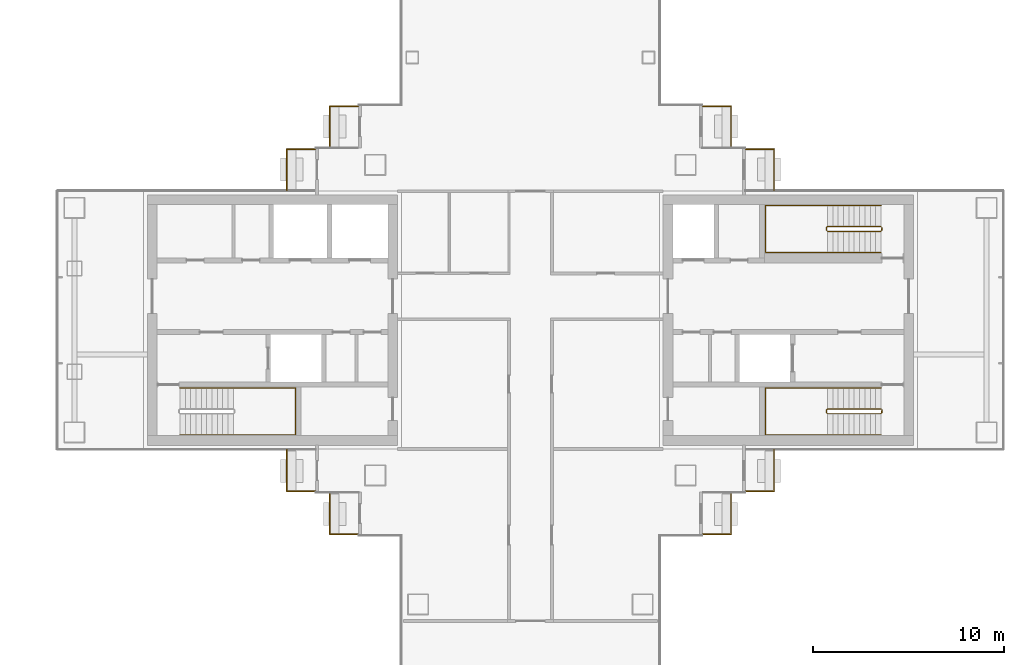
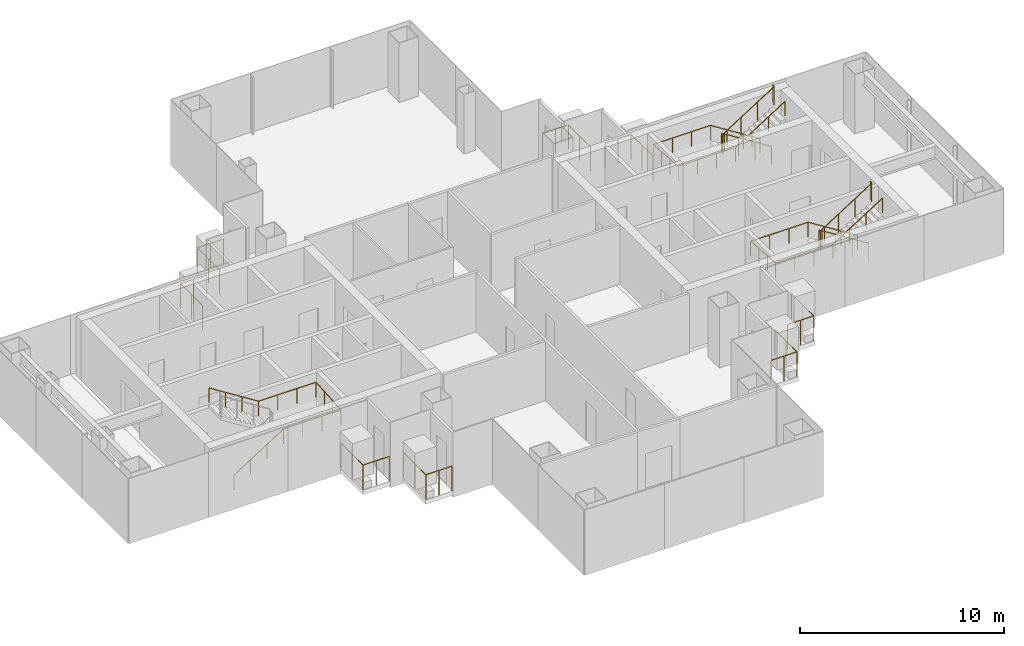
# One storey, part 16 of 17: 13 railings.
"""IFC4 building model written with IfcOpenShell, lengths in metres."""

from ifc_helpers import new_model, si_unit, direction, frame, origin, origin_2d, place, context, subcontext, project, spatial, circle, extrude, material, type_object, element, save


model = new_model("IFC4")

# Units and contexts
model_context = context("Model", 3, precision=1e-05, world=origin(), true_north=direction((0.0, 1.0)))
body_context = subcontext(model_context, "Body", "Model", "MODEL_VIEW")
ifc_project = project(units=[si_unit("LENGTHUNIT", "METRE"), si_unit("AREAUNIT", "SQUARE_METRE"), si_unit("VOLUMEUNIT", "CUBIC_METRE"), si_unit("PLANEANGLEUNIT", "RADIAN"), si_unit("MASSUNIT", "GRAM", prefix="KILO")], contexts=[model_context])

# Site, building, storey
site_placement = place(None, origin())
site = spatial("IfcSite", under=ifc_project, at=site_placement, CompositionType="ELEMENT")
building_placement = place(site_placement, origin())
building = spatial("IfcBuilding", under=site, at=building_placement, Name="Shamsa Quay Exchange Towers", CompositionType="ELEMENT")
storey_placement = place(building_placement, frame((0.0, 0.0, 170.10009765625)))
storey = spatial("IfcBuildingStorey", under=building, at=storey_placement, Name="L40", CompositionType="ELEMENT", Elevation=170.10009765625)

# Railings
ifc_material_1 = material(Name="Steel S355, black powder-coated", Category="steel")
railing_type_1 = type_object("IfcRailingType", Name="BALCONY GUARD 1500", PredefinedType="GUARDRAIL", material=ifc_material_1)
for number, where, name in (
    (1, (24.72900390625, 11.199951171875, 0.0), "Balcony guard T2-PKEN L40"),
    (2, (22.47900390625, 8.949951171875, 0.0), "Balcony guard T2-PKEN L40"),
):
    element("IfcRailing", number, at=place(storey_placement, frame(where)), inside=storey, type_object=railing_type_1, Name=name, PredefinedType="GUARDRAIL", context=body_context, shape_type="SweptSolid", body=[
        extrude(circle(Radius=0.02392578125, at=origin_2d()), frame((0.0, 0.0, 1.47607421875), z_axis=(-1.0, 0.0, 0.0), x_axis=(0.0, -1.0, 0.0)), (0.0, 0.0, 1.0), 1.47900390625),
        extrude(circle(Radius=0.02392578125, at=origin_2d()), frame((-1.47900390625, 0.0, 1.47607421875), z_axis=(0.0, -1.0, 0.0), x_axis=(1.0, 0.0, 0.0)), (0.0, 0.0, 1.0), 2.161865234375),
        extrude(circle(Radius=0.02099609375, at=origin_2d()), origin(), (0.0, 0.0, 1.0), 1.451904296875),
        extrude(circle(Radius=0.02099609375, at=origin_2d()), frame((-0.739501953125, 0.0, 0.0)), (0.0, 0.0, 1.0), 1.451904296875),
        extrude(circle(Radius=0.02099609375, at=origin_2d()), frame((-1.47900390625, 0.0, 0.0)), (0.0, 0.0, 1.0), 1.451904296875),
        extrude(circle(Radius=0.02099609375, at=origin_2d()), frame((-1.47900390625, -1.0810546875, 0.0)), (0.0, 0.0, 1.0), 1.451904296875),
        extrude(circle(Radius=0.02099609375, at=origin_2d()), frame((-1.47900390625, -2.161865234375, 0.0)), (0.0, 0.0, 1.0), 1.451904296875),
    ])
for number, where, name in (
    (3, (44.25, 9.0380859375, 0.0), "Balcony guard T2-PKES L40"),
    (4, (46.5, 6.7880859375, 0.0), "Balcony guard T2-PKES L40"),
):
    element("IfcRailing", number, at=place(storey_placement, frame(where)), inside=storey, type_object=railing_type_1, Name=name, PredefinedType="GUARDRAIL", context=body_context, shape_type="SweptSolid", body=[
        extrude(circle(Radius=0.02392578125, at=origin_2d()), frame((0.0, 0.0, 1.47607421875), z_axis=(0.0, 1.0, 0.0), x_axis=(-1.0, 0.0, 0.0)), (0.0, 0.0, 1.0), 2.161865234375),
        extrude(circle(Radius=0.02392578125, at=origin_2d()), frame((0.0, 2.161865234375, 1.47607421875), z_axis=(-1.0, 0.0, 0.0), x_axis=(0.0, -1.0, 0.0)), (0.0, 0.0, 1.0), 1.47900390625),
        extrude(circle(Radius=0.02099609375, at=origin_2d()), origin(), (0.0, 0.0, 1.0), 1.451904296875),
        extrude(circle(Radius=0.02099609375, at=origin_2d()), frame((0.0, 1.0810546875, 0.0)), (0.0, 0.0, 1.0), 1.451904296875),
        extrude(circle(Radius=0.02099609375, at=origin_2d()), frame((0.0, 2.161865234375, 0.0)), (0.0, 0.0, 1.0), 1.451904296875),
        extrude(circle(Radius=0.02099609375, at=origin_2d()), frame((-0.739501953125, 2.161865234375, 0.0)), (0.0, 0.0, 1.0), 1.451904296875),
        extrude(circle(Radius=0.02099609375, at=origin_2d()), frame((-1.47900390625, 2.161865234375, 0.0)), (0.0, 0.0, 1.0), 1.451904296875),
    ])
for number, where, name in (
    (5, (21.0, -6.7880859375, 0.0), "Balcony guard T2-PKWN L40"),
    (6, (23.25, -9.0380859375, 0.0), "Balcony guard T2-PKWN L40"),
):
    element("IfcRailing", number, at=place(storey_placement, frame(where)), inside=storey, type_object=railing_type_1, Name=name, PredefinedType="GUARDRAIL", context=body_context, shape_type="SweptSolid", body=[
        extrude(circle(Radius=0.02392578125, at=origin_2d()), frame((0.0, 0.0, 1.47607421875), z_axis=(0.0, -1.0, 0.0), x_axis=(1.0, 0.0, 0.0)), (0.0, 0.0, 1.0), 2.161865234375),
        extrude(circle(Radius=0.02392578125, at=origin_2d()), frame((0.0, -2.161865234375, 1.47607421875), z_axis=(1.0, 0.0, 0.0), x_axis=(0.0, 1.0, 0.0)), (0.0, 0.0, 1.0), 1.47900390625),
        extrude(circle(Radius=0.02099609375, at=origin_2d()), origin(), (0.0, 0.0, 1.0), 1.451904296875),
        extrude(circle(Radius=0.02099609375, at=origin_2d()), frame((0.0, -1.0810546875, 0.0)), (0.0, 0.0, 1.0), 1.451904296875),
        extrude(circle(Radius=0.02099609375, at=origin_2d()), frame((0.0, -2.161865234375, 0.0)), (0.0, 0.0, 1.0), 1.451904296875),
        extrude(circle(Radius=0.02099609375, at=origin_2d()), frame((0.739501953125, -2.161865234375, 0.0)), (0.0, 0.0, 1.0), 1.451904296875),
        extrude(circle(Radius=0.02099609375, at=origin_2d()), frame((1.47900390625, -2.161865234375, 0.0)), (0.0, 0.0, 1.0), 1.451904296875),
    ])
for number, where, name in (
    (7, (42.77099609375, -11.199951171875, 0.0), "Balcony guard T2-PKWS L40"),
    (8, (45.02099609375, -8.949951171875, 0.0), "Balcony guard T2-PKWS L40"),
):
    element("IfcRailing", number, at=place(storey_placement, frame(where)), inside=storey, type_object=railing_type_1, Name=name, PredefinedType="GUARDRAIL", context=body_context, shape_type="SweptSolid", body=[
        extrude(circle(Radius=0.02392578125, at=origin_2d()), frame((0.0, 0.0, 1.47607421875), z_axis=(1.0, 0.0, 0.0), x_axis=(0.0, 1.0, 0.0)), (0.0, 0.0, 1.0), 1.47900390625),
        extrude(circle(Radius=0.02392578125, at=origin_2d()), frame((1.47900390625, 0.0, 1.47607421875), z_axis=(0.0, 1.0, 0.0), x_axis=(-1.0, 0.0, 0.0)), (0.0, 0.0, 1.0), 2.161865234375),
        extrude(circle(Radius=0.02099609375, at=origin_2d()), origin(), (0.0, 0.0, 1.0), 1.451904296875),
        extrude(circle(Radius=0.02099609375, at=origin_2d()), frame((0.739501953125, 0.0, 0.0)), (0.0, 0.0, 1.0), 1.451904296875),
        extrude(circle(Radius=0.02099609375, at=origin_2d()), frame((1.47900390625, 0.0, 0.0)), (0.0, 0.0, 1.0), 1.451904296875),
        extrude(circle(Radius=0.02099609375, at=origin_2d()), frame((1.47900390625, 1.0810546875, 0.0)), (0.0, 0.0, 1.0), 1.451904296875),
        extrude(circle(Radius=0.02099609375, at=origin_2d()), frame((1.47900390625, 2.161865234375, 0.0)), (0.0, 0.0, 1.0), 1.451904296875),
    ])
ifc_material_2 = material(Name="Stainless steel", Category="steel")
railing_type_2 = type_object("IfcRailingType", Name="STAIR GUARD 1100", PredefinedType="GUARDRAIL", material=ifc_material_2)
railing_1_placement = place(storey_placement, frame((52.10009765625, -4.64990234375, 0.17724609375)))
element("IfcRailing", 9, at=railing_1_placement, inside=storey, type_object=railing_type_2, Name="L40 ST5 stair guard 1", PredefinedType="GUARDRAIL", context=body_context, shape_type="SweptSolid", body=[
    extrude(circle(Radius=0.02392578125, at=origin_2d()), frame((0.0, 0.0, 1.076171875), z_axis=(-0.844908973607, 0.0, 0.534910110503), x_axis=(0.0, -1.0, 0.0)), (0.0, 0.0, 1.0), 3.31396484375),
    extrude(circle(Radius=0.02392578125, at=origin_2d()), frame((-2.800048828125, 0.0, 2.8486328125), z_axis=(-0.707106781187, -0.707106781187, 0.0), x_axis=(0.707106781187, -0.707106781187, 0.0)), (0.0, 0.0, 1.0), 0.07080078125),
    extrude(circle(Radius=0.02392578125, at=origin_2d()), frame((-2.85009765625, -0.050048828125, 2.8486328125), z_axis=(0.0, -1.0, 0.0), x_axis=(1.0, 0.0, 0.0)), (0.0, 0.0, 1.0), 0.150146484375),
    extrude(circle(Radius=0.02392578125, at=origin_2d()), frame((-2.85009765625, -0.2001953125, 2.8486328125), z_axis=(0.262321481514, -0.261041864531, 0.929001929653), x_axis=(0.705375805398, 0.708833529934, 0.0)), (0.0, 0.0, 1.0), 0.190673828125),
    extrude(circle(Radius=0.02392578125, at=origin_2d()), frame((-2.800048828125, -0.25, 3.02587890625), z_axis=(0.844908973607, 0.0, 0.534910110503), x_axis=(0.0, 1.0, 0.0)), (0.0, 0.0, 1.0), 3.31396484375),
    extrude(circle(Radius=0.02392578125, at=origin_2d()), frame((0.0, -0.25, 4.798828125), z_axis=(0.241699205484, 0.970351222016, 0.0), x_axis=(-0.970351222016, 0.241699205484, 0.0)), (0.0, 0.0, 1.0), 0.2060546875),
    extrude(circle(Radius=0.02392578125, at=origin_2d()), frame((0.0498046875, -0.050048828125, 4.798828125), z_axis=(0.0, -1.0, 0.0), x_axis=(1.0, 0.0, 0.0)), (0.0, 0.0, 1.0), 0.150146484375),
    extrude(circle(Radius=0.02099609375, at=origin_2d()), origin(), (0.0, 0.0, 1.0), 1.052001953125),
    extrude(circle(Radius=0.02099609375, at=origin_2d()), frame((-0.933349609375, 0.0, 0.5908203125)), (0.0, 0.0, 1.0), 1.052001953125),
    extrude(circle(Radius=0.02099609375, at=origin_2d()), frame((-1.86669921875, 0.0, 1.181884765625)), (0.0, 0.0, 1.0), 1.052001953125),
    extrude(circle(Radius=0.02099609375, at=origin_2d()), frame((-2.800048828125, 0.0, 1.772705078125)), (0.0, 0.0, 1.0), 1.052001953125),
    extrude(circle(Radius=0.02099609375, at=origin_2d()), frame((-2.85009765625, -0.050048828125, 1.772705078125)), (0.0, 0.0, 1.0), 1.052001953125),
    extrude(circle(Radius=0.02099609375, at=origin_2d()), frame((-2.85009765625, -0.2001953125, 1.772705078125)), (0.0, 0.0, 1.0), 1.052001953125),
    extrude(circle(Radius=0.02099609375, at=origin_2d()), frame((-2.800048828125, -0.25, 1.949951171875)), (0.0, 0.0, 1.0), 1.052001953125),
    extrude(circle(Radius=0.02099609375, at=origin_2d()), frame((-1.86669921875, -0.25, 2.540771484375)), (0.0, 0.0, 1.0), 1.052001953125),
    extrude(circle(Radius=0.02099609375, at=origin_2d()), frame((-0.933349609375, -0.25, 3.1318359375)), (0.0, 0.0, 1.0), 1.052001953125),
    extrude(circle(Radius=0.02099609375, at=origin_2d()), frame((0.0, -0.25, 3.72265625)), (0.0, 0.0, 1.0), 1.052001953125),
    extrude(circle(Radius=0.02099609375, at=origin_2d()), frame((0.0498046875, -0.050048828125, 3.72265625)), (0.0, 0.0, 1.0), 1.052001953125),
    extrude(circle(Radius=0.02099609375, at=origin_2d()), frame((0.0498046875, -0.2001953125, 3.72265625)), (0.0, 0.0, 1.0), 1.052001953125),
])
railing_2_placement = place(storey_placement, frame((52.10009765625, 4.89990234375, 0.17724609375)))
element("IfcRailing", 10, at=railing_2_placement, inside=storey, type_object=railing_type_2, Name="L40 ST6 stair guard 1", PredefinedType="GUARDRAIL", context=body_context, shape_type="SweptSolid", body=[
    extrude(circle(Radius=0.02392578125, at=origin_2d()), frame((0.0, 0.0, 1.076171875), z_axis=(-0.844908973607, 0.0, 0.534910110503), x_axis=(0.0, -1.0, 0.0)), (0.0, 0.0, 1.0), 3.31396484375),
    extrude(circle(Radius=0.02392578125, at=origin_2d()), frame((-2.800048828125, 0.0, 2.8486328125), z_axis=(-0.708833529934, -0.705375805398, 0.0), x_axis=(0.705375805398, -0.708833529934, 0.0)), (0.0, 0.0, 1.0), 0.070556640625),
    extrude(circle(Radius=0.02392578125, at=origin_2d()), frame((-2.85009765625, -0.0498046875, 2.8486328125), z_axis=(0.0, -1.0, 0.0), x_axis=(1.0, 0.0, 0.0)), (0.0, 0.0, 1.0), 0.150146484375),
    extrude(circle(Radius=0.02392578125, at=origin_2d()), frame((-2.85009765625, -0.199951171875, 2.8486328125), z_axis=(0.262233686654, -0.262233686654, 0.928691007369), x_axis=(0.707106781187, 0.707106781187, 0.0)), (0.0, 0.0, 1.0), 0.19091796875),
    extrude(circle(Radius=0.02392578125, at=origin_2d()), frame((-2.800048828125, -0.25, 3.02587890625), z_axis=(0.844908973607, 0.0, 0.534910110503), x_axis=(0.0, 1.0, 0.0)), (0.0, 0.0, 1.0), 3.31396484375),
    extrude(circle(Radius=0.02392578125, at=origin_2d()), frame((0.0, -0.25, 4.798828125), z_axis=(0.24142163986, 0.970420317083, 0.0), x_axis=(-0.970420317083, 0.24142163986, 0.0)), (0.0, 0.0, 1.0), 0.206298828125),
    extrude(circle(Radius=0.02392578125, at=origin_2d()), frame((0.0498046875, -0.0498046875, 4.798828125), z_axis=(0.0, -1.0, 0.0), x_axis=(1.0, 0.0, 0.0)), (0.0, 0.0, 1.0), 0.150146484375),
    extrude(circle(Radius=0.02099609375, at=origin_2d()), origin(), (0.0, 0.0, 1.0), 1.052001953125),
    extrude(circle(Radius=0.02099609375, at=origin_2d()), frame((-0.933349609375, 0.0, 0.5908203125)), (0.0, 0.0, 1.0), 1.052001953125),
    extrude(circle(Radius=0.02099609375, at=origin_2d()), frame((-1.86669921875, 0.0, 1.181884765625)), (0.0, 0.0, 1.0), 1.052001953125),
    extrude(circle(Radius=0.02099609375, at=origin_2d()), frame((-2.800048828125, 0.0, 1.772705078125)), (0.0, 0.0, 1.0), 1.052001953125),
    extrude(circle(Radius=0.02099609375, at=origin_2d()), frame((-2.85009765625, -0.0498046875, 1.772705078125)), (0.0, 0.0, 1.0), 1.052001953125),
    extrude(circle(Radius=0.02099609375, at=origin_2d()), frame((-2.85009765625, -0.199951171875, 1.772705078125)), (0.0, 0.0, 1.0), 1.052001953125),
    extrude(circle(Radius=0.02099609375, at=origin_2d()), frame((-2.800048828125, -0.25, 1.949951171875)), (0.0, 0.0, 1.0), 1.052001953125),
    extrude(circle(Radius=0.02099609375, at=origin_2d()), frame((-1.86669921875, -0.25, 2.540771484375)), (0.0, 0.0, 1.0), 1.052001953125),
    extrude(circle(Radius=0.02099609375, at=origin_2d()), frame((-0.933349609375, -0.25, 3.1318359375)), (0.0, 0.0, 1.0), 1.052001953125),
    extrude(circle(Radius=0.02099609375, at=origin_2d()), frame((0.0, -0.25, 3.72265625)), (0.0, 0.0, 1.0), 1.052001953125),
    extrude(circle(Radius=0.02099609375, at=origin_2d()), frame((0.0498046875, -0.0498046875, 3.72265625)), (0.0, 0.0, 1.0), 1.052001953125),
    extrude(circle(Radius=0.02099609375, at=origin_2d()), frame((0.0498046875, -0.199951171875, 3.72265625)), (0.0, 0.0, 1.0), 1.052001953125),
])
railing_type_3 = type_object("IfcRailingType", Name="STAIR HANDRAIL 900", PredefinedType="HANDRAIL", material=ifc_material_2)
railing_3_placement = place(storey_placement, frame((15.39990234375, -6.0, 0.17724609375)))
element("IfcRailing", 11, at=railing_3_placement, inside=storey, type_object=railing_type_3, Name="L40 ST4 stair handrail 1", PredefinedType="HANDRAIL", context=body_context, shape_type="SweptSolid", body=[
    extrude(circle(Radius=0.02392578125, at=origin_2d()), frame((0.0, 0.0, 0.8759765625), z_axis=(0.844908973607, 0.0, 0.534910110503), x_axis=(0.0, 1.0, 0.0)), (0.0, 0.0, 1.0), 3.31396484375),
    extrude(circle(Radius=0.02392578125, at=origin_2d()), frame((2.800048828125, 0.0, 2.6484375), z_axis=(1.0, 0.0, 0.0), x_axis=(0.0, 1.0, 0.0)), (0.0, 0.0, 1.0), 3.25),
    extrude(circle(Radius=0.02392578125, at=origin_2d()), frame((6.050048828125, 0.0, 2.6484375), z_axis=(0.0, 0.997393199914, 0.07215819264), x_axis=(-1.0, 0.0, 0.0)), (0.0, 0.0, 1.0), 2.456298828125),
    extrude(circle(Radius=0.02392578125, at=origin_2d()), frame((6.050048828125, 2.449951171875, 2.82568359375), z_axis=(-1.0, 0.0, 0.0), x_axis=(0.0, -1.0, 0.0)), (0.0, 0.0, 1.0), 3.25),
    extrude(circle(Radius=0.02392578125, at=origin_2d()), frame((2.800048828125, 2.449951171875, 2.82568359375), z_axis=(-0.844908973607, 0.0, 0.534910110503), x_axis=(0.0, -1.0, 0.0)), (0.0, 0.0, 1.0), 3.31396484375),
    extrude(circle(Radius=0.02099609375, at=origin_2d()), origin(), (0.0, 0.0, 1.0), 0.851806640625),
    extrude(circle(Radius=0.02099609375, at=origin_2d()), frame((0.933349609375, 0.0, 0.5908203125)), (0.0, 0.0, 1.0), 0.851806640625),
    extrude(circle(Radius=0.02099609375, at=origin_2d()), frame((1.86669921875, 0.0, 1.181884765625)), (0.0, 0.0, 1.0), 0.851806640625),
    extrude(circle(Radius=0.02099609375, at=origin_2d()), frame((2.800048828125, 0.0, 1.772705078125)), (0.0, 0.0, 1.0), 0.851806640625),
    extrude(circle(Radius=0.02099609375, at=origin_2d()), frame((3.88330078125, 0.0, 1.772705078125)), (0.0, 0.0, 1.0), 0.851806640625),
    extrude(circle(Radius=0.02099609375, at=origin_2d()), frame((4.966796875, 0.0, 1.772705078125)), (0.0, 0.0, 1.0), 0.851806640625),
    extrude(circle(Radius=0.02099609375, at=origin_2d()), frame((6.050048828125, 0.0, 1.772705078125)), (0.0, 0.0, 1.0), 0.851806640625),
    extrude(circle(Radius=0.02099609375, at=origin_2d()), frame((6.050048828125, 0.816650390625, 1.831787109375)), (0.0, 0.0, 1.0), 0.851806640625),
    extrude(circle(Radius=0.02099609375, at=origin_2d()), frame((6.050048828125, 1.63330078125, 1.890869140625)), (0.0, 0.0, 1.0), 0.851806640625),
    extrude(circle(Radius=0.02099609375, at=origin_2d()), frame((6.050048828125, 2.449951171875, 1.949951171875)), (0.0, 0.0, 1.0), 0.851806640625),
    extrude(circle(Radius=0.02099609375, at=origin_2d()), frame((4.966796875, 2.449951171875, 1.949951171875)), (0.0, 0.0, 1.0), 0.851806640625),
    extrude(circle(Radius=0.02099609375, at=origin_2d()), frame((3.88330078125, 2.449951171875, 1.949951171875)), (0.0, 0.0, 1.0), 0.851806640625),
    extrude(circle(Radius=0.02099609375, at=origin_2d()), frame((2.800048828125, 2.449951171875, 1.949951171875)), (0.0, 0.0, 1.0), 0.851806640625),
    extrude(circle(Radius=0.02099609375, at=origin_2d()), frame((1.86669921875, 2.449951171875, 2.540771484375)), (0.0, 0.0, 1.0), 0.851806640625),
    extrude(circle(Radius=0.02099609375, at=origin_2d()), frame((0.933349609375, 2.449951171875, 3.1318359375)), (0.0, 0.0, 1.0), 0.851806640625),
    extrude(circle(Radius=0.02099609375, at=origin_2d()), frame((0.0, 2.449951171875, 3.72265625)), (0.0, 0.0, 1.0), 0.851806640625),
])
railing_4_placement = place(storey_placement, frame((52.10009765625, -3.550048828125, 0.17724609375)))
element("IfcRailing", 12, at=railing_4_placement, inside=storey, type_object=railing_type_3, Name="L40 ST5 stair handrail 1", PredefinedType="HANDRAIL", context=body_context, shape_type="SweptSolid", body=[
    extrude(circle(Radius=0.02392578125, at=origin_2d()), frame((0.0, 0.0, 0.8759765625), z_axis=(-0.844908973607, 0.0, 0.534910110503), x_axis=(0.0, -1.0, 0.0)), (0.0, 0.0, 1.0), 3.31396484375),
    extrude(circle(Radius=0.02392578125, at=origin_2d()), frame((-2.800048828125, 0.0, 2.6484375), z_axis=(-1.0, 0.0, 0.0), x_axis=(0.0, -1.0, 0.0)), (0.0, 0.0, 1.0), 3.25),
    extrude(circle(Radius=0.02392578125, at=origin_2d()), frame((-6.050048828125, 0.0, 2.6484375), z_axis=(0.0, -0.997393199914, 0.07215819264), x_axis=(1.0, 0.0, 0.0)), (0.0, 0.0, 1.0), 2.456298828125),
    extrude(circle(Radius=0.02392578125, at=origin_2d()), frame((-6.050048828125, -2.449951171875, 2.82568359375), z_axis=(1.0, 0.0, 0.0), x_axis=(0.0, 1.0, 0.0)), (0.0, 0.0, 1.0), 3.25),
    extrude(circle(Radius=0.02392578125, at=origin_2d()), frame((-2.800048828125, -2.449951171875, 2.82568359375), z_axis=(0.844908973607, 0.0, 0.534910110503), x_axis=(0.0, 1.0, 0.0)), (0.0, 0.0, 1.0), 3.31396484375),
    extrude(circle(Radius=0.02099609375, at=origin_2d()), origin(), (0.0, 0.0, 1.0), 0.851806640625),
    extrude(circle(Radius=0.02099609375, at=origin_2d()), frame((-0.933349609375, 0.0, 0.5908203125)), (0.0, 0.0, 1.0), 0.851806640625),
    extrude(circle(Radius=0.02099609375, at=origin_2d()), frame((-1.86669921875, 0.0, 1.181884765625)), (0.0, 0.0, 1.0), 0.851806640625),
    extrude(circle(Radius=0.02099609375, at=origin_2d()), frame((-2.800048828125, 0.0, 1.772705078125)), (0.0, 0.0, 1.0), 0.851806640625),
    extrude(circle(Radius=0.02099609375, at=origin_2d()), frame((-3.88330078125, 0.0, 1.772705078125)), (0.0, 0.0, 1.0), 0.851806640625),
    extrude(circle(Radius=0.02099609375, at=origin_2d()), frame((-4.966796875, 0.0, 1.772705078125)), (0.0, 0.0, 1.0), 0.851806640625),
    extrude(circle(Radius=0.02099609375, at=origin_2d()), frame((-6.050048828125, 0.0, 1.772705078125)), (0.0, 0.0, 1.0), 0.851806640625),
    extrude(circle(Radius=0.02099609375, at=origin_2d()), frame((-6.050048828125, -0.816650390625, 1.831787109375)), (0.0, 0.0, 1.0), 0.851806640625),
    extrude(circle(Radius=0.02099609375, at=origin_2d()), frame((-6.050048828125, -1.63330078125, 1.890869140625)), (0.0, 0.0, 1.0), 0.851806640625),
    extrude(circle(Radius=0.02099609375, at=origin_2d()), frame((-6.050048828125, -2.449951171875, 1.949951171875)), (0.0, 0.0, 1.0), 0.851806640625),
    extrude(circle(Radius=0.02099609375, at=origin_2d()), frame((-4.966796875, -2.449951171875, 1.949951171875)), (0.0, 0.0, 1.0), 0.851806640625),
    extrude(circle(Radius=0.02099609375, at=origin_2d()), frame((-3.88330078125, -2.449951171875, 1.949951171875)), (0.0, 0.0, 1.0), 0.851806640625),
    extrude(circle(Radius=0.02099609375, at=origin_2d()), frame((-2.800048828125, -2.449951171875, 1.949951171875)), (0.0, 0.0, 1.0), 0.851806640625),
    extrude(circle(Radius=0.02099609375, at=origin_2d()), frame((-1.86669921875, -2.449951171875, 2.540771484375)), (0.0, 0.0, 1.0), 0.851806640625),
    extrude(circle(Radius=0.02099609375, at=origin_2d()), frame((-0.933349609375, -2.449951171875, 3.1318359375)), (0.0, 0.0, 1.0), 0.851806640625),
    extrude(circle(Radius=0.02099609375, at=origin_2d()), frame((0.0, -2.449951171875, 3.72265625)), (0.0, 0.0, 1.0), 0.851806640625),
])
railing_5_placement = place(storey_placement, frame((52.10009765625, 6.0, 0.17724609375)))
element("IfcRailing", 13, at=railing_5_placement, inside=storey, type_object=railing_type_3, Name="L40 ST6 stair handrail 1", PredefinedType="HANDRAIL", context=body_context, shape_type="SweptSolid", body=[
    extrude(circle(Radius=0.02392578125, at=origin_2d()), frame((0.0, 0.0, 0.8759765625), z_axis=(-0.844908973607, 0.0, 0.534910110503), x_axis=(0.0, -1.0, 0.0)), (0.0, 0.0, 1.0), 3.31396484375),
    extrude(circle(Radius=0.02392578125, at=origin_2d()), frame((-2.800048828125, 0.0, 2.6484375), z_axis=(-1.0, 0.0, 0.0), x_axis=(0.0, -1.0, 0.0)), (0.0, 0.0, 1.0), 3.25),
    extrude(circle(Radius=0.02392578125, at=origin_2d()), frame((-6.050048828125, 0.0, 2.6484375), z_axis=(0.0, -0.997393199914, 0.07215819264), x_axis=(1.0, 0.0, 0.0)), (0.0, 0.0, 1.0), 2.456298828125),
    extrude(circle(Radius=0.02392578125, at=origin_2d()), frame((-6.050048828125, -2.449951171875, 2.82568359375), z_axis=(1.0, 0.0, 0.0), x_axis=(0.0, 1.0, 0.0)), (0.0, 0.0, 1.0), 3.25),
    extrude(circle(Radius=0.02392578125, at=origin_2d()), frame((-2.800048828125, -2.449951171875, 2.82568359375), z_axis=(0.844908973607, 0.0, 0.534910110503), x_axis=(0.0, 1.0, 0.0)), (0.0, 0.0, 1.0), 3.31396484375),
    extrude(circle(Radius=0.02099609375, at=origin_2d()), origin(), (0.0, 0.0, 1.0), 0.851806640625),
    extrude(circle(Radius=0.02099609375, at=origin_2d()), frame((-0.933349609375, 0.0, 0.5908203125)), (0.0, 0.0, 1.0), 0.851806640625),
    extrude(circle(Radius=0.02099609375, at=origin_2d()), frame((-1.86669921875, 0.0, 1.181884765625)), (0.0, 0.0, 1.0), 0.851806640625),
    extrude(circle(Radius=0.02099609375, at=origin_2d()), frame((-2.800048828125, 0.0, 1.772705078125)), (0.0, 0.0, 1.0), 0.851806640625),
    extrude(circle(Radius=0.02099609375, at=origin_2d()), frame((-3.88330078125, 0.0, 1.772705078125)), (0.0, 0.0, 1.0), 0.851806640625),
    extrude(circle(Radius=0.02099609375, at=origin_2d()), frame((-4.966796875, 0.0, 1.772705078125)), (0.0, 0.0, 1.0), 0.851806640625),
    extrude(circle(Radius=0.02099609375, at=origin_2d()), frame((-6.050048828125, 0.0, 1.772705078125)), (0.0, 0.0, 1.0), 0.851806640625),
    extrude(circle(Radius=0.02099609375, at=origin_2d()), frame((-6.050048828125, -0.816650390625, 1.831787109375)), (0.0, 0.0, 1.0), 0.851806640625),
    extrude(circle(Radius=0.02099609375, at=origin_2d()), frame((-6.050048828125, -1.63330078125, 1.890869140625)), (0.0, 0.0, 1.0), 0.851806640625),
    extrude(circle(Radius=0.02099609375, at=origin_2d()), frame((-6.050048828125, -2.449951171875, 1.949951171875)), (0.0, 0.0, 1.0), 0.851806640625),
    extrude(circle(Radius=0.02099609375, at=origin_2d()), frame((-4.966796875, -2.449951171875, 1.949951171875)), (0.0, 0.0, 1.0), 0.851806640625),
    extrude(circle(Radius=0.02099609375, at=origin_2d()), frame((-3.88330078125, -2.449951171875, 1.949951171875)), (0.0, 0.0, 1.0), 0.851806640625),
    extrude(circle(Radius=0.02099609375, at=origin_2d()), frame((-2.800048828125, -2.449951171875, 1.949951171875)), (0.0, 0.0, 1.0), 0.851806640625),
    extrude(circle(Radius=0.02099609375, at=origin_2d()), frame((-1.86669921875, -2.449951171875, 2.540771484375)), (0.0, 0.0, 1.0), 0.851806640625),
    extrude(circle(Radius=0.02099609375, at=origin_2d()), frame((-0.933349609375, -2.449951171875, 3.1318359375)), (0.0, 0.0, 1.0), 0.851806640625),
    extrude(circle(Radius=0.02099609375, at=origin_2d()), frame((0.0, -2.449951171875, 3.72265625)), (0.0, 0.0, 1.0), 0.851806640625),
])

save(model, "model.ifc")
